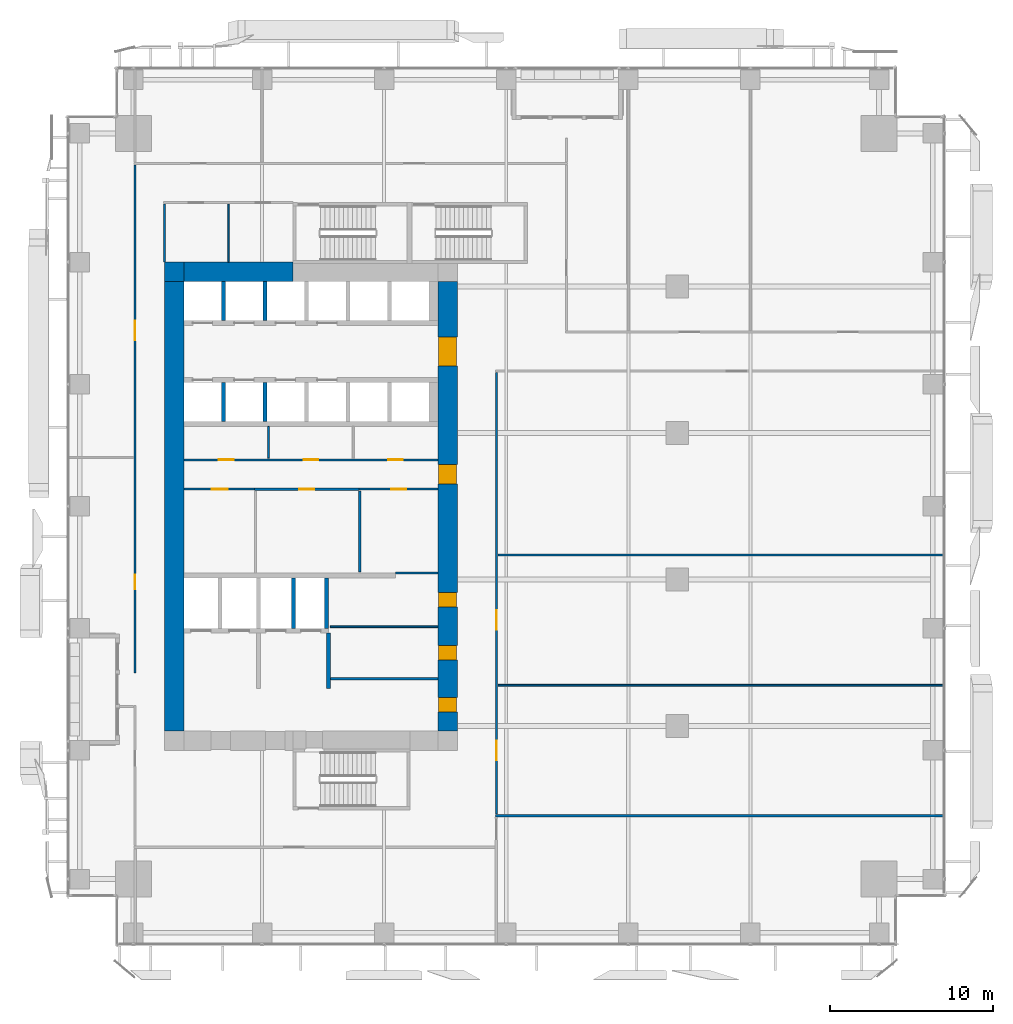
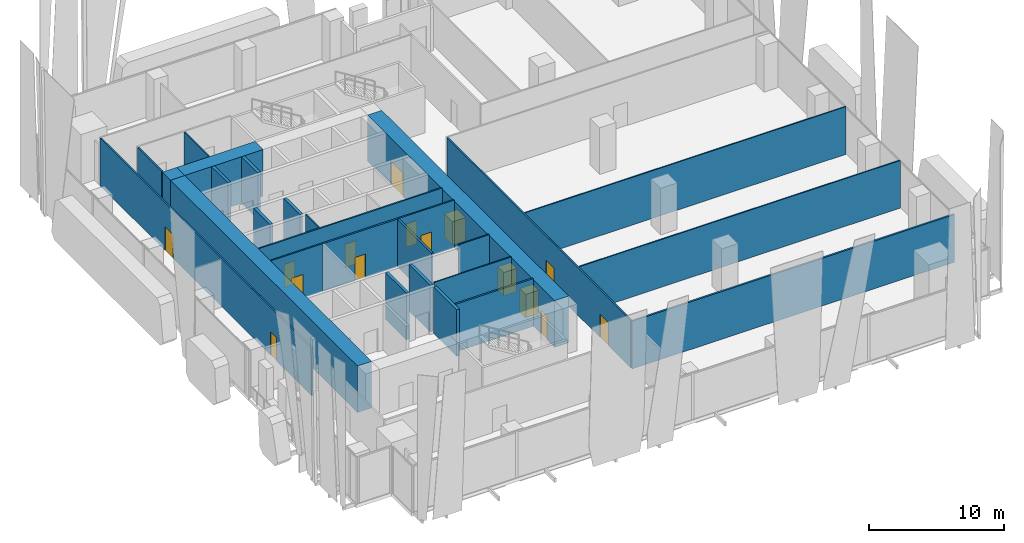
# One storey, part 29 of 36: 27 walls, 15 doors, 15 openings.
"""IFC4 building model written with IfcOpenShell, lengths in metres."""

from ifc_helpers import new_model, si_unit, direction, frame, frame_2d, origin, place, context, subcontext, project, spatial, rectangle, extrude, source, transform, mapped, material, layer, layer_set, type_object, element, fill, save


model = new_model("IFC4")

# Units and contexts
model_context = context("Model", 3, precision=1e-05, world=origin(), true_north=direction((0.0, 1.0)))
body_context = subcontext(model_context, "Body", "Model", "MODEL_VIEW")
ifc_project = project(units=[si_unit("LENGTHUNIT", "METRE"), si_unit("AREAUNIT", "SQUARE_METRE"), si_unit("VOLUMEUNIT", "CUBIC_METRE"), si_unit("PLANEANGLEUNIT", "RADIAN"), si_unit("MASSUNIT", "GRAM", prefix="KILO")], contexts=[model_context])

# Site, building, storey
site_placement = place(None, origin())
site = spatial("IfcSite", under=ifc_project, at=site_placement, CompositionType="ELEMENT")
building_placement = place(site_placement, origin())
building = spatial("IfcBuilding", under=site, at=building_placement, Name="Khomas Fold Tower", CompositionType="ELEMENT")
storey_placement = place(building_placement, frame((0.0, 0.0, 46.5)))
storey = spatial("IfcBuildingStorey", under=building, at=storey_placement, Name="L09", CompositionType="ELEMENT", Elevation=46.5)

# Walls
ifc_material_1 = material(Name="Concrete C70/85", Category="concrete")
ifc_layer_1 = layer(ifc_material_1, 1.199951171875)
ifc_layer_set_1 = layer_set([ifc_layer_1], Name="Concrete C70/85")
wall_type_1 = type_object("IfcWallType", Name="Core wall 1200", PredefinedType="SHEAR", material=ifc_layer_set_1)
shared_shape_1 = source(origin(), body_context, "Body", "SweptSolid", [
    extrude(rectangle(XDim=6.699951171875, YDim=1.199951171875, at=frame_2d((3.35009765625, 0.0))), origin(), (0.0, 0.0, 1.0), 4.199951171875),
])
wall_1_placement = place(storey_placement, frame((7.199951171875, 41.39990234375, 0.0), z_axis=(0.0, 0.0, 1.0), x_axis=(1.0, 0.0, 0.0)))
element("IfcWall", 1, at=wall_1_placement, inside=storey, type_object=wall_type_1, Name="Core wall CW-L-N-B2", PredefinedType="SHEAR", context=body_context, shape_type="MappedRepresentation", body=[
    mapped(shared_shape_1, transform((0.0, 0.0, 0.0))),
])
ifc_material_2 = material(Name="Concrete C70/85", Category="concrete")
ifc_layer_2 = layer(ifc_material_2, 1.199951171875)
ifc_layer_set_2 = layer_set([ifc_layer_2], Name="Concrete C70/85")
wall_type_2 = type_object("IfcWallType", Name="Core corner wall 1200", PredefinedType="SHEAR", material=ifc_layer_set_2)
shared_shape_2 = source(origin(), body_context, "Body", "SweptSolid", [
    extrude(rectangle(XDim=1.199951171875, YDim=1.199951171875, at=frame_2d((0.60009765625, 0.0))), origin(), (0.0, 0.0, 1.0), 4.199951171875),
])
wall_2_placement = place(storey_placement, frame((6.0, 41.39990234375, 0.0), z_axis=(0.0, 0.0, 1.0), x_axis=(1.0, 0.0, 0.0)))
element("IfcWall", 2, at=wall_2_placement, inside=storey, type_object=wall_type_2, Name="Core wall CW-L-NW-B2", PredefinedType="SHEAR", context=body_context, shape_type="MappedRepresentation", body=[
    mapped(shared_shape_2, transform((0.0, 0.0, 0.0))),
])

# Wall, openings, doors
shared_shape_3 = source(origin(), body_context, "Body", "SweptSolid", [
    extrude(rectangle(XDim=27.60009765625, YDim=1.199951171875, at=frame_2d((13.800048828125, 0.0))), origin(), (0.0, 0.0, 1.0), 4.199951171875),
])
wall_3_placement = place(storey_placement, frame((23.39990234375, 13.199951171875, 0.0), z_axis=(0.0, 0.0, 1.0), x_axis=(0.0, 1.0, 0.0)))
wall_3 = element("IfcWall", 3, at=wall_3_placement, inside=storey, type_object=wall_type_1, Name="Core wall CW-L-E-B2", PredefinedType="SHEAR", context=body_context, shape_type="MappedRepresentation", body=[
    mapped(shared_shape_3, transform((0.0, 0.0, 0.0))),
])
shared_shape_4 = source(origin(), body_context, "Body", "SweptSolid", [
    extrude(rectangle(XDim=1.800048828125, YDim=2.10009765625, at=frame_2d((0.89990234375, 1.050048828125))), frame((0.0, 0.60986328125, 0.0), z_axis=(0.0, -1.0, 0.0), x_axis=(1.0, 0.0, 0.0)), (0.0, 0.0, 1.0), 1.219970703125),
])
opening_1_placement = place(wall_3_placement, frame((22.39990234375, 0.0, 0.0)))
opening_1 = element("IfcOpeningElement", 4, at=opening_1_placement, cuts=wall_3, Name="Opening 0015", PredefinedType="OPENING", context=body_context, shape_type="MappedRepresentation", body=[
    mapped(shared_shape_4, transform((0.0, 0.0, 0.0))),
])
shared_shape_5 = source(origin(), body_context, "Body", "SweptSolid", [
    extrude(rectangle(XDim=1.199951171875, YDim=2.10009765625, at=frame_2d((0.60009765625, 1.050048828125))), frame((0.0, 0.60986328125, 0.0), z_axis=(0.0, -1.0, 0.0), x_axis=(1.0, 0.0, 0.0)), (0.0, 0.0, 1.0), 1.219970703125),
])
opening_2_placement = place(wall_3_placement, frame((15.14990234375, 0.0, 0.0)))
opening_2 = element("IfcOpeningElement", 5, at=opening_2_placement, cuts=wall_3, Name="Opening 0001", PredefinedType="OPENING", context=body_context, shape_type="MappedRepresentation", body=[
    mapped(shared_shape_5, transform((0.0, 0.0, 0.0))),
])
shared_shape_6 = source(origin(), body_context, "Body", "SweptSolid", [
    extrude(rectangle(XDim=0.89990234375, YDim=2.10009765625, at=frame_2d((0.449951171875, 1.050048828125))), frame((0.0, 0.60986328125, 0.0), z_axis=(0.0, -1.0, 0.0), x_axis=(1.0, 0.0, 0.0)), (0.0, 0.0, 1.0), 1.219970703125),
])
opening_3_placement = place(wall_3_placement, frame((1.14990234375, 0.0, 0.0)))
opening_3 = element("IfcOpeningElement", 6, at=opening_3_placement, cuts=wall_3, Name="Opening 0003", PredefinedType="OPENING", context=body_context, shape_type="MappedRepresentation", body=[
    mapped(shared_shape_6, transform((0.0, 0.0, 0.0))),
])
opening_4_placement = place(wall_3_placement, frame((4.35009765625, 0.0, 0.0)))
opening_4 = element("IfcOpeningElement", 7, at=opening_4_placement, cuts=wall_3, Name="Opening 0008", PredefinedType="OPENING", context=body_context, shape_type="MappedRepresentation", body=[
    mapped(shared_shape_6, transform((0.0, 0.0, 0.0))),
])
opening_5_placement = place(wall_3_placement, frame((7.60009765625, 0.0, 0.0)))
opening_5 = element("IfcOpeningElement", 8, at=opening_5_placement, cuts=wall_3, Name="Opening 0008", PredefinedType="OPENING", context=body_context, shape_type="MappedRepresentation", body=[
    mapped(shared_shape_6, transform((0.0, 0.0, 0.0))),
])
ifc_material_3 = material(Name="Timber door leaf", Category="wood")
door_type_1 = type_object("IfcDoorType", Name="Door 1200x2100 right-hand", OperationType="SINGLE_SWING_RIGHT", PredefinedType="DOOR", material=ifc_material_3)
shared_shape_7 = source(origin(), body_context, "Body", "SweptSolid", [
    extrude(rectangle(XDim=1.199951171875, YDim=2.10009765625, at=frame_2d((0.60009765625, 1.050048828125))), frame((0.0, 0.5498046875, 0.0), z_axis=(0.0, -1.0, 0.0), x_axis=(1.0, 0.0, 0.0)), (0.0, 0.0, 1.0), 1.099853515625),
])
door_1_placement = place(opening_2_placement, origin())
door_1 = element("IfcDoor", 9, at=door_1_placement, inside=storey, type_object=door_type_1, Name="Door", OperationType="SINGLE_SWING_RIGHT", OverallHeight=2.10009765625, OverallWidth=1.199951171875, PredefinedType="DOOR", context=body_context, shape_type="MappedRepresentation", body=[
    mapped(shared_shape_7, transform((0.0, 0.0, 0.0))),
])
fill(opening_2, door_1)
ifc_material_4 = material(Name="Steel door leaf", Category="steel")
door_type_2 = type_object("IfcDoorType", Name="Plant room door 900x2100 right-hand", OperationType="SINGLE_SWING_RIGHT", PredefinedType="DOOR", material=ifc_material_4)
shared_shape_8 = source(origin(), body_context, "Body", "SweptSolid", [
    extrude(rectangle(XDim=0.89990234375, YDim=2.10009765625, at=frame_2d((0.449951171875, 1.050048828125))), frame((0.0, 0.5498046875, 0.0), z_axis=(0.0, -1.0, 0.0), x_axis=(1.0, 0.0, 0.0)), (0.0, 0.0, 1.0), 1.099853515625),
])
door_2_placement = place(opening_3_placement, origin())
door_2 = element("IfcDoor", 10, at=door_2_placement, inside=storey, type_object=door_type_2, Name="Plant room door", OperationType="SINGLE_SWING_RIGHT", OverallHeight=2.10009765625, OverallWidth=0.89990234375, PredefinedType="DOOR", context=body_context, shape_type="MappedRepresentation", body=[
    mapped(shared_shape_8, transform((0.0, 0.0, 0.0))),
])
fill(opening_3, door_2)
ifc_material_5 = material(Name="Timber door leaf", Category="wood")
door_type_3 = type_object("IfcDoorType", Name="Door 900x2100 right-hand", OperationType="SINGLE_SWING_RIGHT", PredefinedType="DOOR", material=ifc_material_5)
door_3_placement = place(opening_4_placement, origin())
door_3 = element("IfcDoor", 11, at=door_3_placement, inside=storey, type_object=door_type_3, Name="Door", OperationType="SINGLE_SWING_RIGHT", OverallHeight=2.10009765625, OverallWidth=0.89990234375, PredefinedType="DOOR", context=body_context, shape_type="MappedRepresentation", body=[
    mapped(shared_shape_8, transform((0.0, 0.0, 0.0))),
])
fill(opening_4, door_3)
door_4_placement = place(opening_5_placement, origin())
door_4 = element("IfcDoor", 12, at=door_4_placement, inside=storey, type_object=door_type_3, Name="Door", OperationType="SINGLE_SWING_RIGHT", OverallHeight=2.10009765625, OverallWidth=0.89990234375, PredefinedType="DOOR", context=body_context, shape_type="MappedRepresentation", body=[
    mapped(shared_shape_8, transform((0.0, 0.0, 0.0))),
])
fill(opening_5, door_4)
ifc_material_6 = material(Name="Steel door leaf", Category="steel")
door_type_4 = type_object("IfcDoorType", Name="Lobby door 1800x2100", OperationType="DOUBLE_DOOR_SINGLE_SWING", PredefinedType="DOOR", material=ifc_material_6)
shared_shape_9 = source(origin(), body_context, "Body", "SweptSolid", [
    extrude(rectangle(XDim=1.800048828125, YDim=2.10009765625, at=frame_2d((0.89990234375, 1.050048828125))), frame((0.0, 0.5498046875, 0.0), z_axis=(0.0, -1.0, 0.0), x_axis=(1.0, 0.0, 0.0)), (0.0, 0.0, 1.0), 1.099853515625),
])
door_5_placement = place(opening_1_placement, origin())
door_5 = element("IfcDoor", 13, at=door_5_placement, inside=storey, type_object=door_type_4, Name="Lobby door", OperationType="DOUBLE_DOOR_SINGLE_SWING", OverallHeight=2.10009765625, OverallWidth=1.800048828125, PredefinedType="DOOR", context=body_context, shape_type="MappedRepresentation", body=[
    mapped(shared_shape_9, transform((0.0, 0.0, 0.0))),
])
fill(opening_1, door_5)

# Walls
wall_4_placement = place(storey_placement, frame((6.60009765625, 13.199951171875, 0.0), z_axis=(0.0, 0.0, 1.0), x_axis=(0.0, 1.0, 0.0)))
element("IfcWall", 14, at=wall_4_placement, inside=storey, type_object=wall_type_1, Name="Core wall CW-L-W-B2", PredefinedType="SHEAR", context=body_context, shape_type="MappedRepresentation", body=[
    mapped(shared_shape_3, transform((0.0, 0.0, 0.0))),
])
ifc_material_7 = material(Name="Concrete C50/60", Category="concrete")
ifc_layer_3 = layer(ifc_material_7, 0.25)
ifc_layer_set_3 = layer_set([ifc_layer_3], Name="Concrete C50/60")
wall_type_3 = type_object("IfcWallType", Name="Shaft wall 250", PredefinedType="STANDARD", material=ifc_layer_set_3)
shared_shape_10 = source(origin(), body_context, "Body", "SweptSolid", [
    extrude(rectangle(XDim=3.10009765625, YDim=0.25, at=frame_2d((1.550048828125, 0.0))), origin(), (0.0, 0.0, 1.0), 4.199951171875),
])
for number, where, z_axis, x_axis, name in (
    (15, (13.925048828125, 19.5, 0.0), (0.0, 0.0, 1.0), (0.0, 1.0, 0.0), "Core wall SW-FS-P3"),
    (16, (15.949951171875, 19.5, 0.0), (0.0, 0.0, 1.0), (0.0, 1.0, 0.0), "Core wall SW-FS-PE"),
):
    element("IfcWall", number, at=place(storey_placement, frame(where, z_axis=z_axis, x_axis=x_axis)), inside=storey, type_object=wall_type_3, Name=name, PredefinedType="STANDARD", context=body_context, shape_type="MappedRepresentation", body=[
        mapped(shared_shape_10, transform((0.0, 0.0, 0.0))),
    ])
shared_shape_11 = source(origin(), body_context, "Body", "SweptSolid", [
    extrude(rectangle(XDim=2.400146484375, YDim=0.25, at=frame_2d((1.2001953125, 0.0))), origin(), (0.0, 0.0, 1.0), 4.199951171875),
])
for number, where, z_axis, x_axis, name in (
    (17, (9.625, 38.39990234375, 0.0), (0.0, 0.0, 1.0), (0.0, 1.0, 0.0), "Core wall SW-LRN-P1"),
    (18, (12.175048828125, 38.39990234375, 0.0), (0.0, 0.0, 1.0), (0.0, 1.0, 0.0), "Core wall SW-LRN-P2"),
    (19, (9.625, 32.199951171875, 0.0), (0.0, 0.0, 1.0), (0.0, 1.0, 0.0), "Core wall SW-LRS-P1"),
    (20, (12.175048828125, 32.199951171875, 0.0), (0.0, 0.0, 1.0), (0.0, 1.0, 0.0), "Core wall SW-LRS-P2"),
):
    element("IfcWall", number, at=place(storey_placement, frame(where, z_axis=z_axis, x_axis=x_axis)), inside=storey, type_object=wall_type_3, Name=name, PredefinedType="STANDARD", context=body_context, shape_type="MappedRepresentation", body=[
        mapped(shared_shape_11, transform((0.0, 0.0, 0.0))),
    ])
ifc_material_8 = material(Name="Concrete C50/60", Category="concrete")
ifc_layer_4 = layer(ifc_material_8, 0.25)
ifc_layer_set_4 = layer_set([ifc_layer_4], Name="Concrete C50/60")
wall_type_4 = type_object("IfcWallType", Name="Lobby wall 250", PredefinedType="STANDARD", material=ifc_layer_set_4)
shared_shape_12 = source(origin(), body_context, "Body", "SweptSolid", [
    extrude(rectangle(XDim=3.39990234375, YDim=0.25, at=frame_2d((1.699951171875, 0.0))), origin(), (0.0, 0.0, 1.0), 4.199951171875),
])
wall_5_placement = place(storey_placement, frame((16.074951171875, 15.800048828125, 0.0), z_axis=(0.0, 0.0, 1.0), x_axis=(0.0, 1.0, 0.0)))
element("IfcWall", 21, at=wall_5_placement, inside=storey, type_object=wall_type_4, Name="Core wall SW-FS-LOB-E", PredefinedType="STANDARD", context=body_context, shape_type="MappedRepresentation", body=[
    mapped(shared_shape_12, transform((0.0, 0.0, 0.0))),
])
ifc_material_9 = material(Name="Plasterboard fire partition")
ifc_layer_5 = layer(ifc_material_9, 0.14990234375)
ifc_layer_set_5 = layer_set([ifc_layer_5], Name="Plasterboard fire partition")
wall_type_5 = type_object("IfcWallType", Name="Plant room wall PW3 150", PredefinedType="PARTITIONING", material=ifc_layer_set_5)
shared_shape_13 = source(origin(), body_context, "Body", "SweptSolid", [
    extrude(rectangle(XDim=27.5, YDim=0.14990234375, at=frame_2d((13.75, 0.0))), origin(), (0.0, 0.0, 1.0), 4.300048828125),
])
wall_6_placement = place(storey_placement, frame((26.35009765625, 8.0, 0.0), z_axis=(0.0, 0.0, 1.0), x_axis=(1.0, 0.0, 0.0)))
element("IfcWall", 22, at=wall_6_placement, inside=storey, type_object=wall_type_5, Name="Plant room wall", PredefinedType="PARTITIONING", context=body_context, shape_type="MappedRepresentation", body=[
    mapped(shared_shape_13, transform((0.0, 0.0, 0.0))),
])

# Wall, openings, doors
ifc_material_10 = material(Name="Plasterboard partition")
ifc_layer_6 = layer(ifc_material_10, 0.125)
ifc_layer_set_6 = layer_set([ifc_layer_6], Name="Plasterboard partition")
wall_type_6 = type_object("IfcWallType", Name="Partition PW2 125", PredefinedType="PARTITIONING", material=ifc_layer_set_6)
shared_shape_14 = source(origin(), body_context, "Body", "SweptSolid", [
    extrude(rectangle(XDim=27.099853515625, YDim=0.125, at=frame_2d((13.5498046875, 0.0))), origin(), (0.0, 0.0, 1.0), 4.300048828125),
])
wall_7_placement = place(storey_placement, frame((26.39990234375, 8.10009765625, 0.0), z_axis=(0.0, 0.0, 1.0), x_axis=(0.0, 1.0, 0.0)))
wall_7 = element("IfcWall", 23, at=wall_7_placement, inside=storey, type_object=wall_type_6, Name="Partition", PredefinedType="PARTITIONING", context=body_context, shape_type="MappedRepresentation", body=[
    mapped(shared_shape_14, transform((0.0, 0.0, 0.0))),
])
shared_shape_15 = source(origin(), body_context, "Body", "SweptSolid", [
    extrude(rectangle(XDim=1.199951171875, YDim=2.10009765625, at=frame_2d((0.60009765625, 1.050048828125))), frame((0.0, 0.072509765625, 0.0), z_axis=(0.0, -1.0, 0.0), x_axis=(1.0, 0.0, 0.0)), (0.0, 0.0, 1.0), 0.14501953125),
])
opening_6_placement = place(wall_7_placement, frame((3.300048828125, 0.0, 0.0)))
opening_6 = element("IfcOpeningElement", 24, at=opening_6_placement, cuts=wall_7, Name="Opening 0013", PredefinedType="OPENING", context=body_context, shape_type="MappedRepresentation", body=[
    mapped(shared_shape_15, transform((0.0, 0.0, 0.0))),
])
opening_7_placement = place(wall_7_placement, frame((11.300048828125, 0.0, 0.0)))
opening_7 = element("IfcOpeningElement", 25, at=opening_7_placement, cuts=wall_7, Name="Opening 0001", PredefinedType="OPENING", context=body_context, shape_type="MappedRepresentation", body=[
    mapped(shared_shape_15, transform((0.0, 0.0, 0.0))),
])
ifc_material_11 = material(Name="Timber door leaf", Category="wood")
door_type_5 = type_object("IfcDoorType", Name="Door 1200x2100 left-hand", OperationType="SINGLE_SWING_LEFT", PredefinedType="DOOR", material=ifc_material_11)
shared_shape_16 = source(origin(), body_context, "Body", "SweptSolid", [
    extrude(rectangle(XDim=1.199951171875, YDim=2.10009765625, at=frame_2d((0.60009765625, 1.050048828125))), frame((0.0, 0.02490234375, 0.0), z_axis=(0.0, -1.0, 0.0), x_axis=(1.0, 0.0, 0.0)), (0.0, 0.0, 1.0), 0.050048828125),
])
door_6_placement = place(opening_6_placement, origin())
door_6 = element("IfcDoor", 26, at=door_6_placement, inside=storey, type_object=door_type_5, Name="Door", OperationType="SINGLE_SWING_LEFT", OverallHeight=2.10009765625, OverallWidth=1.199951171875, PredefinedType="DOOR", context=body_context, shape_type="MappedRepresentation", body=[
    mapped(shared_shape_16, transform((0.0, 0.0, 0.0))),
])
fill(opening_6, door_6)
door_7_placement = place(opening_7_placement, origin())
door_7 = element("IfcDoor", 27, at=door_7_placement, inside=storey, type_object=door_type_1, Name="Door", OperationType="SINGLE_SWING_RIGHT", OverallHeight=2.10009765625, OverallWidth=1.199951171875, PredefinedType="DOOR", context=body_context, shape_type="MappedRepresentation", body=[
    mapped(shared_shape_16, transform((0.0, 0.0, 0.0))),
])
fill(opening_7, door_7)

# Walls
ifc_material_12 = material(Name="Plasterboard partition")
ifc_layer_7 = layer(ifc_material_12, 0.10009765625)
ifc_layer_set_7 = layer_set([ifc_layer_7], Name="Plasterboard partition")
wall_type_7 = type_object("IfcWallType", Name="Partition PW1 100", PredefinedType="PARTITIONING", material=ifc_layer_set_7)
shared_shape_17 = source(origin(), body_context, "Body", "SweptSolid", [
    extrude(rectangle(XDim=27.35009765625, YDim=0.10009765625, at=frame_2d((13.675048828125, 0.0))), origin(), (0.0, 0.0, 1.0), 4.300048828125),
])
for number, where, z_axis, x_axis, name in (
    (28, (26.5, 16.0, 0.0), (0.0, 0.0, 1.0), (1.0, 0.0, 0.0), "Partition"),
    (29, (26.5, 24.0, 0.0), (0.0, 0.0, 1.0), (1.0, 0.0, 0.0), "Partition"),
):
    element("IfcWall", number, at=place(storey_placement, frame(where, z_axis=z_axis, x_axis=x_axis)), inside=storey, type_object=wall_type_7, Name=name, PredefinedType="PARTITIONING", context=body_context, shape_type="MappedRepresentation", body=[
        mapped(shared_shape_17, transform((0.0, 0.0, 0.0))),
    ])
shared_shape_18 = source(origin(), body_context, "Body", "SweptSolid", [
    extrude(rectangle(XDim=6.60009765625, YDim=0.14990234375, at=frame_2d((3.300048828125, 0.0))), origin(), (0.0, 0.0, 1.0), 4.300048828125),
])
wall_8_placement = place(storey_placement, frame((16.199951171875, 16.39990234375, 0.0), z_axis=(0.0, 0.0, 1.0), x_axis=(1.0, 0.0, 0.0)))
element("IfcWall", 30, at=wall_8_placement, inside=storey, type_object=wall_type_5, Name="Plant room wall", PredefinedType="PARTITIONING", context=body_context, shape_type="MappedRepresentation", body=[
    mapped(shared_shape_18, transform((0.0, 0.0, 0.0))),
])
shared_shape_19 = source(origin(), body_context, "Body", "SweptSolid", [
    extrude(rectangle(XDim=3.550048828125, YDim=0.10009765625, at=frame_2d((1.77490234375, 0.0))), origin(), (0.0, 0.0, 1.0), 4.300048828125),
])
wall_9_placement = place(storey_placement, frame((9.949951171875, 42.0, 0.0), z_axis=(0.0, 0.0, 1.0), x_axis=(0.0, 1.0, 0.0)))
element("IfcWall", 31, at=wall_9_placement, inside=storey, type_object=wall_type_7, Name="Partition", PredefinedType="PARTITIONING", context=body_context, shape_type="MappedRepresentation", body=[
    mapped(shared_shape_19, transform((0.0, 0.0, 0.0))),
])
shared_shape_20 = source(origin(), body_context, "Body", "SweptSolid", [
    extrude(rectangle(XDim=3.550048828125, YDim=0.125, at=frame_2d((1.77490234375, 0.0))), origin(), (0.0, 0.0, 1.0), 4.300048828125),
])
wall_10_placement = place(storey_placement, frame((6.0, 42.0, 0.0), z_axis=(0.0, 0.0, 1.0), x_axis=(0.0, 1.0, 0.0)))
element("IfcWall", 32, at=wall_10_placement, inside=storey, type_object=wall_type_6, Name="Partition", PredefinedType="PARTITIONING", context=body_context, shape_type="MappedRepresentation", body=[
    mapped(shared_shape_20, transform((0.0, 0.0, 0.0))),
])
shared_shape_21 = source(origin(), body_context, "Body", "SweptSolid", [
    extrude(rectangle(XDim=6.60009765625, YDim=0.10009765625, at=frame_2d((3.300048828125, 0.0))), origin(), (0.0, 0.0, 1.0), 4.300048828125),
])
wall_11_placement = place(storey_placement, frame((16.199951171875, 19.60009765625, 0.0), z_axis=(0.0, 0.0, 1.0), x_axis=(1.0, 0.0, 0.0)))
element("IfcWall", 33, at=wall_11_placement, inside=storey, type_object=wall_type_7, Name="Partition", PredefinedType="PARTITIONING", context=body_context, shape_type="MappedRepresentation", body=[
    mapped(shared_shape_21, transform((0.0, 0.0, 0.0))),
])
shared_shape_22 = source(origin(), body_context, "Body", "SweptSolid", [
    extrude(rectangle(XDim=2.60009765625, YDim=0.10009765625, at=frame_2d((1.300048828125, 0.0))), origin(), (0.0, 0.0, 1.0), 4.300048828125),
])
wall_12_placement = place(storey_placement, frame((20.199951171875, 22.89990234375, 0.0), z_axis=(0.0, 0.0, 1.0), x_axis=(1.0, 0.0, 0.0)))
element("IfcWall", 34, at=wall_12_placement, inside=storey, type_object=wall_type_7, Name="Partition", PredefinedType="PARTITIONING", context=body_context, shape_type="MappedRepresentation", body=[
    mapped(shared_shape_22, transform((0.0, 0.0, 0.0))),
])
shared_shape_23 = source(origin(), body_context, "Body", "SweptSolid", [
    extrude(rectangle(XDim=5.0, YDim=0.14990234375, at=frame_2d((2.5, 0.0))), origin(), (0.0, 0.0, 1.0), 4.300048828125),
])
wall_13_placement = place(storey_placement, frame((18.0, 22.949951171875, 0.0), z_axis=(0.0, 0.0, 1.0), x_axis=(0.0, 1.0, 0.0)))
element("IfcWall", 35, at=wall_13_placement, inside=storey, type_object=wall_type_5, Name="Plant room wall", PredefinedType="PARTITIONING", context=body_context, shape_type="MappedRepresentation", body=[
    mapped(shared_shape_23, transform((0.0, 0.0, 0.0))),
])

# Wall, opening, door
shared_shape_24 = source(origin(), body_context, "Body", "SweptSolid", [
    extrude(rectangle(XDim=4.35009765625, YDim=0.125, at=frame_2d((2.175048828125, 0.0))), origin(), (0.0, 0.0, 1.0), 4.300048828125),
])
wall_14_placement = place(storey_placement, frame((7.199951171875, 28.050048828125, 0.0), z_axis=(0.0, 0.0, 1.0), x_axis=(1.0, 0.0, 0.0)))
wall_14 = element("IfcWall", 36, at=wall_14_placement, inside=storey, type_object=wall_type_6, Name="Partition", PredefinedType="PARTITIONING", context=body_context, shape_type="MappedRepresentation", body=[
    mapped(shared_shape_24, transform((0.0, 0.0, 0.0))),
])
shared_shape_25 = source(origin(), body_context, "Body", "SweptSolid", [
    extrude(rectangle(XDim=1.0, YDim=2.10009765625, at=frame_2d((0.5, 1.050048828125))), frame((0.0, 0.072509765625, 0.0), z_axis=(0.0, -1.0, 0.0), x_axis=(1.0, 0.0, 0.0)), (0.0, 0.0, 1.0), 0.14501953125),
])
opening_8_placement = place(wall_14_placement, frame((1.699951171875, 0.0, 0.0)))
opening_8 = element("IfcOpeningElement", 37, at=opening_8_placement, cuts=wall_14, Name="Opening 0014", PredefinedType="OPENING", context=body_context, shape_type="MappedRepresentation", body=[
    mapped(shared_shape_25, transform((0.0, 0.0, 0.0))),
])
ifc_material_13 = material(Name="Timber door leaf", Category="wood")
door_type_6 = type_object("IfcDoorType", Name="WC door 1000x2100 left-hand", OperationType="SINGLE_SWING_LEFT", PredefinedType="DOOR", material=ifc_material_13)
shared_shape_26 = source(origin(), body_context, "Body", "SweptSolid", [
    extrude(rectangle(XDim=1.0, YDim=2.10009765625, at=frame_2d((0.5, 1.050048828125))), frame((0.0, 0.02490234375, 0.0), z_axis=(0.0, -1.0, 0.0), x_axis=(1.0, 0.0, 0.0)), (0.0, 0.0, 1.0), 0.050048828125),
])
door_8_placement = place(opening_8_placement, origin())
door_8 = element("IfcDoor", 38, at=door_8_placement, inside=storey, type_object=door_type_6, Name="WC door", OperationType="SINGLE_SWING_LEFT", OverallHeight=2.10009765625, OverallWidth=1.0, PredefinedType="DOOR", context=body_context, shape_type="MappedRepresentation", body=[
    mapped(shared_shape_26, transform((0.0, 0.0, 0.0))),
])
fill(opening_8, door_8)

shared_shape_27 = source(origin(), body_context, "Body", "SweptSolid", [
    extrude(rectangle(XDim=6.39990234375, YDim=0.14990234375, at=frame_2d((3.199951171875, 0.0))), origin(), (0.0, 0.0, 1.0), 4.300048828125),
])
wall_15_placement = place(storey_placement, frame((11.550048828125, 28.050048828125, 0.0), z_axis=(0.0, 0.0, 1.0), x_axis=(1.0, 0.0, 0.0)))
wall_15 = element("IfcWall", 39, at=wall_15_placement, inside=storey, type_object=wall_type_5, Name="Plant room wall", PredefinedType="PARTITIONING", context=body_context, shape_type="MappedRepresentation", body=[
    mapped(shared_shape_27, transform((0.0, 0.0, 0.0))),
])
shared_shape_28 = source(origin(), body_context, "Body", "SweptSolid", [
    extrude(rectangle(XDim=0.89990234375, YDim=2.10009765625, at=frame_2d((0.449951171875, 1.050048828125))), frame((0.0, 0.0849609375, 0.0), z_axis=(0.0, -1.0, 0.0), x_axis=(1.0, 0.0, 0.0)), (0.0, 0.0, 1.0), 0.169921875),
])
opening_9_placement = place(wall_15_placement, frame((2.75, 0.0, 0.0)))
opening_9 = element("IfcOpeningElement", 40, at=opening_9_placement, cuts=wall_15, Name="Opening 0003", PredefinedType="OPENING", context=body_context, shape_type="MappedRepresentation", body=[
    mapped(shared_shape_28, transform((0.0, 0.0, 0.0))),
])
shared_shape_29 = source(origin(), body_context, "Body", "SweptSolid", [
    extrude(rectangle(XDim=0.89990234375, YDim=2.10009765625, at=frame_2d((0.449951171875, 1.050048828125))), frame((0.0, 0.02490234375, 0.0), z_axis=(0.0, -1.0, 0.0), x_axis=(1.0, 0.0, 0.0)), (0.0, 0.0, 1.0), 0.050048828125),
])
door_9_placement = place(opening_9_placement, origin())
door_9 = element("IfcDoor", 41, at=door_9_placement, inside=storey, type_object=door_type_2, Name="Plant room door", OperationType="SINGLE_SWING_RIGHT", OverallHeight=2.10009765625, OverallWidth=0.89990234375, PredefinedType="DOOR", context=body_context, shape_type="MappedRepresentation", body=[
    mapped(shared_shape_29, transform((0.0, 0.0, 0.0))),
])
fill(opening_9, door_9)

shared_shape_30 = source(origin(), body_context, "Body", "SweptSolid", [
    extrude(rectangle(XDim=4.85009765625, YDim=0.125, at=frame_2d((2.425048828125, 0.0))), origin(), (0.0, 0.0, 1.0), 4.300048828125),
])
wall_16_placement = place(storey_placement, frame((17.949951171875, 28.050048828125, 0.0), z_axis=(0.0, 0.0, 1.0), x_axis=(1.0, 0.0, 0.0)))
wall_16 = element("IfcWall", 42, at=wall_16_placement, inside=storey, type_object=wall_type_6, Name="Partition", PredefinedType="PARTITIONING", context=body_context, shape_type="MappedRepresentation", body=[
    mapped(shared_shape_30, transform((0.0, 0.0, 0.0))),
])
shared_shape_31 = source(origin(), body_context, "Body", "SweptSolid", [
    extrude(rectangle(XDim=0.89990234375, YDim=2.10009765625, at=frame_2d((0.449951171875, 1.050048828125))), frame((0.0, 0.072509765625, 0.0), z_axis=(0.0, -1.0, 0.0), x_axis=(1.0, 0.0, 0.0)), (0.0, 0.0, 1.0), 0.14501953125),
])
opening_10_placement = place(wall_16_placement, frame((2.0, 0.0, 0.0)))
opening_10 = element("IfcOpeningElement", 43, at=opening_10_placement, cuts=wall_16, Name="Opening 0007", PredefinedType="OPENING", context=body_context, shape_type="MappedRepresentation", body=[
    mapped(shared_shape_31, transform((0.0, 0.0, 0.0))),
])
ifc_material_14 = material(Name="Timber door leaf", Category="wood")
door_type_7 = type_object("IfcDoorType", Name="Door 900x2100 left-hand", OperationType="SINGLE_SWING_LEFT", PredefinedType="DOOR", material=ifc_material_14)
door_10_placement = place(opening_10_placement, origin())
door_10 = element("IfcDoor", 44, at=door_10_placement, inside=storey, type_object=door_type_7, Name="Door", OperationType="SINGLE_SWING_LEFT", OverallHeight=2.10009765625, OverallWidth=0.89990234375, PredefinedType="DOOR", context=body_context, shape_type="MappedRepresentation", body=[
    mapped(shared_shape_29, transform((0.0, 0.0, 0.0))),
])
fill(opening_10, door_10)

# Wall, openings, doors
shared_shape_32 = source(origin(), body_context, "Body", "SweptSolid", [
    extrude(rectangle(XDim=15.60009765625, YDim=0.125, at=frame_2d((7.800048828125, 0.0))), origin(), (0.0, 0.0, 1.0), 4.300048828125),
])
wall_17_placement = place(storey_placement, frame((7.199951171875, 29.85009765625, 0.0), z_axis=(0.0, 0.0, 1.0), x_axis=(1.0, 0.0, 0.0)))
wall_17 = element("IfcWall", 45, at=wall_17_placement, inside=storey, type_object=wall_type_6, Name="Partition", PredefinedType="PARTITIONING", context=body_context, shape_type="MappedRepresentation", body=[
    mapped(shared_shape_32, transform((0.0, 0.0, 0.0))),
])
opening_11_placement = place(wall_17_placement, frame((2.14990234375, 0.0, 0.0)))
opening_11 = element("IfcOpeningElement", 46, at=opening_11_placement, cuts=wall_17, Name="Opening 0005", PredefinedType="OPENING", context=body_context, shape_type="MappedRepresentation", body=[
    mapped(shared_shape_31, transform((0.0, 0.0, 0.0))),
])
opening_12_placement = place(wall_17_placement, frame((7.35009765625, 0.0, 0.0)))
opening_12 = element("IfcOpeningElement", 47, at=opening_12_placement, cuts=wall_17, Name="Opening 0004", PredefinedType="OPENING", context=body_context, shape_type="MappedRepresentation", body=[
    mapped(shared_shape_31, transform((0.0, 0.0, 0.0))),
])
opening_13_placement = place(wall_17_placement, frame((12.550048828125, 0.0, 0.0)))
opening_13 = element("IfcOpeningElement", 48, at=opening_13_placement, cuts=wall_17, Name="Opening 0007", PredefinedType="OPENING", context=body_context, shape_type="MappedRepresentation", body=[
    mapped(shared_shape_31, transform((0.0, 0.0, 0.0))),
])
ifc_material_15 = material(Name="Timber door leaf", Category="wood")
door_type_8 = type_object("IfcDoorType", Name="WC door 900x2100 left-hand", OperationType="SINGLE_SWING_LEFT", PredefinedType="DOOR", material=ifc_material_15)
door_11_placement = place(opening_11_placement, origin())
door_11 = element("IfcDoor", 49, at=door_11_placement, inside=storey, type_object=door_type_8, Name="WC door", OperationType="SINGLE_SWING_LEFT", OverallHeight=2.10009765625, OverallWidth=0.89990234375, PredefinedType="DOOR", context=body_context, shape_type="MappedRepresentation", body=[
    mapped(shared_shape_29, transform((0.0, 0.0, 0.0))),
])
fill(opening_11, door_11)
ifc_material_16 = material(Name="Timber door leaf", Category="wood")
door_type_9 = type_object("IfcDoorType", Name="WC door 900x2100 right-hand", OperationType="SINGLE_SWING_RIGHT", PredefinedType="DOOR", material=ifc_material_16)
door_12_placement = place(opening_12_placement, origin())
door_12 = element("IfcDoor", 50, at=door_12_placement, inside=storey, type_object=door_type_9, Name="WC door", OperationType="SINGLE_SWING_RIGHT", OverallHeight=2.10009765625, OverallWidth=0.89990234375, PredefinedType="DOOR", context=body_context, shape_type="MappedRepresentation", body=[
    mapped(shared_shape_29, transform((0.0, 0.0, 0.0))),
])
fill(opening_12, door_12)
door_13_placement = place(opening_13_placement, origin())
door_13 = element("IfcDoor", 51, at=door_13_placement, inside=storey, type_object=door_type_7, Name="Door", OperationType="SINGLE_SWING_LEFT", OverallHeight=2.10009765625, OverallWidth=0.89990234375, PredefinedType="DOOR", context=body_context, shape_type="MappedRepresentation", body=[
    mapped(shared_shape_29, transform((0.0, 0.0, 0.0))),
])
fill(opening_13, door_13)

# Wall
shared_shape_33 = source(origin(), body_context, "Body", "SweptSolid", [
    extrude(rectangle(XDim=1.949951171875, YDim=0.10009765625, at=frame_2d((0.97509765625, 0.0))), origin(), (0.0, 0.0, 1.0), 4.300048828125),
])
wall_18_placement = place(storey_placement, frame((12.39990234375, 29.949951171875, 0.0), z_axis=(0.0, 0.0, 1.0), x_axis=(0.0, 1.0, 0.0)))
element("IfcWall", 52, at=wall_18_placement, inside=storey, type_object=wall_type_7, Name="Partition", PredefinedType="PARTITIONING", context=body_context, shape_type="MappedRepresentation", body=[
    mapped(shared_shape_33, transform((0.0, 0.0, 0.0))),
])

# Wall, openings, doors
shared_shape_34 = source(origin(), body_context, "Body", "SweptSolid", [
    extrude(rectangle(XDim=31.199951171875, YDim=0.125, at=frame_2d((15.60009765625, 0.0))), origin(), (0.0, 0.0, 1.0), 4.300048828125),
])
wall_19_placement = place(storey_placement, frame((4.199951171875, 16.75, 0.0), z_axis=(0.0, 0.0, 1.0), x_axis=(0.0, 1.0, 0.0)))
wall_19 = element("IfcWall", 53, at=wall_19_placement, inside=storey, type_object=wall_type_6, Name="Partition", PredefinedType="PARTITIONING", context=body_context, shape_type="MappedRepresentation", body=[
    mapped(shared_shape_34, transform((0.0, 0.0, 0.0))),
])
opening_14_placement = place(wall_19_placement, frame((5.14990234375, 0.0, 0.0)))
opening_14 = element("IfcOpeningElement", 54, at=opening_14_placement, cuts=wall_19, Name="Opening 0007", PredefinedType="OPENING", context=body_context, shape_type="MappedRepresentation", body=[
    mapped(shared_shape_31, transform((0.0, 0.0, 0.0))),
])
opening_15_placement = place(wall_19_placement, frame((20.449951171875, 0.0, 0.0)))
opening_15 = element("IfcOpeningElement", 55, at=opening_15_placement, cuts=wall_19, Name="Opening 0001", PredefinedType="OPENING", context=body_context, shape_type="MappedRepresentation", body=[
    mapped(shared_shape_15, transform((0.0, 0.0, 0.0))),
])
door_14_placement = place(opening_14_placement, origin())
door_14 = element("IfcDoor", 56, at=door_14_placement, inside=storey, type_object=door_type_7, Name="Door", OperationType="SINGLE_SWING_LEFT", OverallHeight=2.10009765625, OverallWidth=0.89990234375, PredefinedType="DOOR", context=body_context, shape_type="MappedRepresentation", body=[
    mapped(shared_shape_29, transform((0.0, 0.0, 0.0))),
])
fill(opening_14, door_14)
door_15_placement = place(opening_15_placement, origin())
door_15 = element("IfcDoor", 57, at=door_15_placement, inside=storey, type_object=door_type_1, Name="Door", OperationType="SINGLE_SWING_RIGHT", OverallHeight=2.10009765625, OverallWidth=1.199951171875, PredefinedType="DOOR", context=body_context, shape_type="MappedRepresentation", body=[
    mapped(shared_shape_16, transform((0.0, 0.0, 0.0))),
])
fill(opening_15, door_15)

save(model, "model.ifc")
